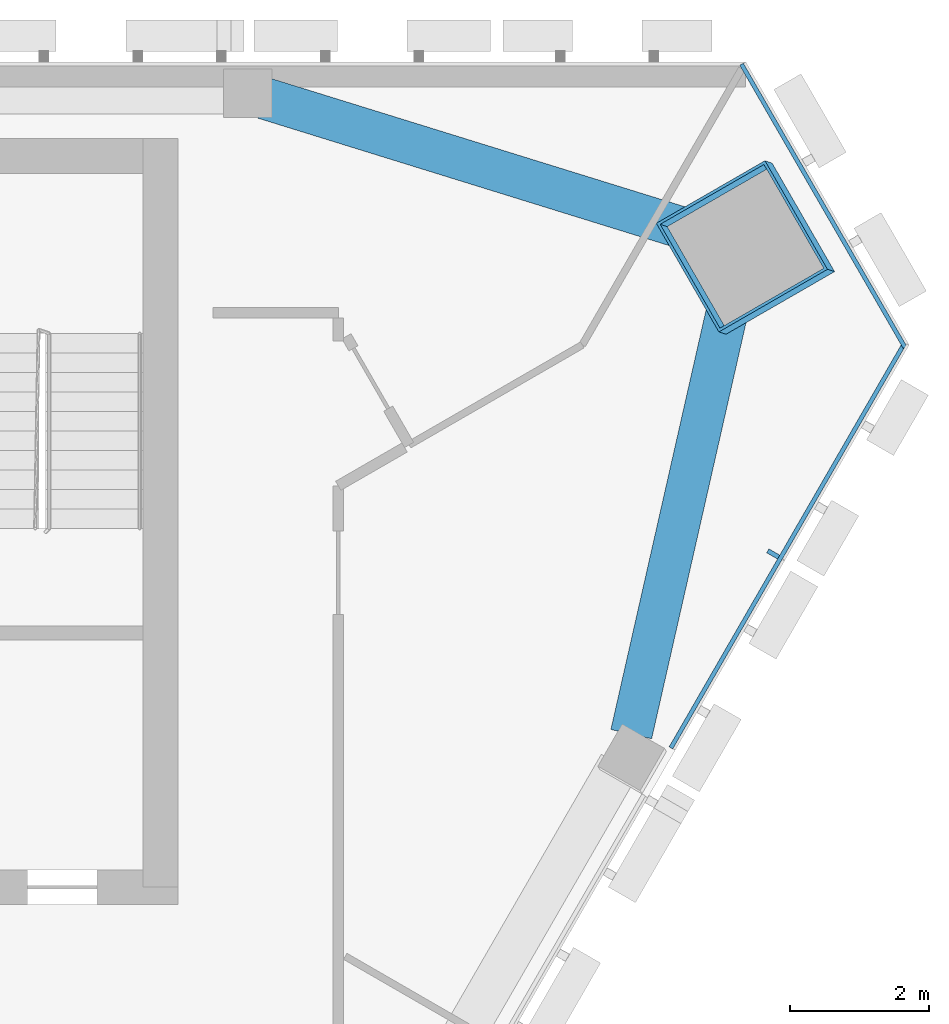
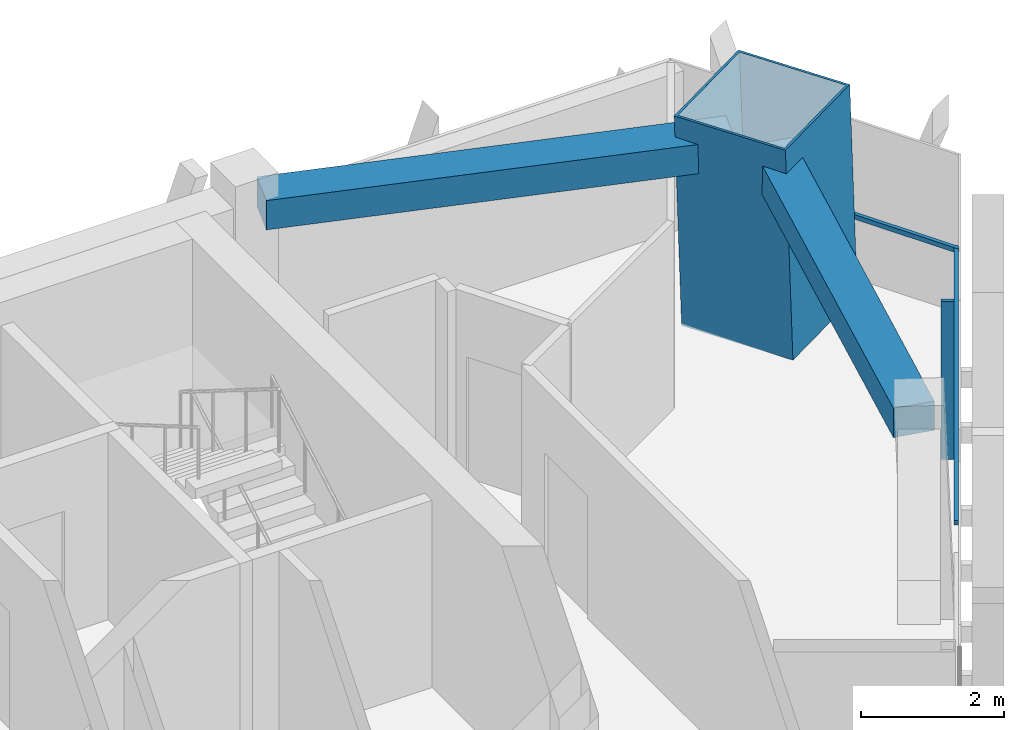
# One storey, part 6 of 12: 4 members, 2 beams, 2 elements without a shape of their own.
"""IFC4 building model written with IfcOpenShell, lengths in metres."""

from ifc_helpers import new_model, si_unit, direction, frame, origin, origin_2d, place, context, subcontext, project, spatial, rectangle, hollow_rectangle, extrude, material, layer, layer_set, material_profile, profile_set, type_object, element, aggregate, save


model = new_model("IFC4")

# Units and contexts
model_context = context("Model", 3, precision=1e-05, world=origin(), true_north=direction((0.0, 1.0)))
body_context = subcontext(model_context, "Body", "Model", "MODEL_VIEW")
ifc_project = project(units=[si_unit("LENGTHUNIT", "METRE"), si_unit("AREAUNIT", "SQUARE_METRE"), si_unit("VOLUMEUNIT", "CUBIC_METRE"), si_unit("PLANEANGLEUNIT", "RADIAN"), si_unit("MASSUNIT", "GRAM", prefix="KILO")], contexts=[model_context])

# Site, building, storey
site_placement = place(None, origin())
site = spatial("IfcSite", under=ifc_project, at=site_placement, CompositionType="ELEMENT")
building_placement = place(site_placement, origin())
building = spatial("IfcBuilding", under=site, at=building_placement, Name="Altiplano Prism Tower", CompositionType="ELEMENT")
storey_placement = place(building_placement, frame((0.0, 0.0, 275.199951171875)))
storey = spatial("IfcBuildingStorey", under=building, at=storey_placement, Name="L71", CompositionType="ELEMENT", Elevation=275.199951171875)

# Curtain wall, members
ifc_material_1 = material(Name="Aluminium and glass", Category="aluminium")
ifc_layer = layer(ifc_material_1, 0.280029296875)
ifc_layer_set = layer_set([ifc_layer], Name="Aluminium and glass")
curtain_wall_type = type_object("IfcCurtainWallType", Name="CW1 typical co-living unitised curtain wall", PredefinedType="NOTDEFINED", material=ifc_layer_set)
curtain_wall_1_placement = place(storey_placement, origin())
curtain_wall_1 = element("IfcCurtainWall", 1, at=curtain_wall_1_placement, inside=storey, type_object=curtain_wall_type, Name="CW1 curtain wall south-east face L71", PredefinedType="NOTDEFINED")
ifc_material_2 = material(Name="Aluminium", Category="aluminium")
ifc_material_profile_1 = material_profile(ifc_material_2, rectangle(XDim=0.179931640625, YDim=0.06494140625, at=origin_2d()), Name="CW1 mullion 65 x 180")
ifc_profile_set_1 = profile_set([ifc_material_profile_1], Name="Aluminium")
member_type_1 = type_object("IfcMemberType", Name="CW1 mullion 65 x 180", PredefinedType="MULLION", material=ifc_profile_set_1)
member_1_placement = place(storey_placement, frame((106.044677734375, 97.934326171875, 0.0), z_axis=(0.0, 0.0, 1.0), x_axis=(-0.866025405879, 0.499999996372, 0.0)))
member_1 = element("IfcMember", 2, at=member_1_placement, type_object=member_type_1, Name="CW1 mullion", PredefinedType="MULLION", context=body_context, shape_type="SweptSolid", body=[
    extrude(rectangle(XDim=0.179931640625, YDim=0.06494140625, at=origin_2d()), origin(), (0.0, 0.0, 1.0), 2.699951171875),
])
ifc_material_profile_2 = material_profile(ifc_material_2, rectangle(XDim=0.06005859375, YDim=0.080078125, at=origin_2d()), Name="CW1 transom 80 x 60")
ifc_profile_set_2 = profile_set([ifc_material_profile_2], Name="Aluminium")
member_type_2 = type_object("IfcMemberType", Name="CW1 transom 80 x 60", PredefinedType="USERDEFINED", material=ifc_profile_set_2)
member_2_placement = place(storey_placement, frame((104.575927734375, 95.150390625, 1.10009765625), z_axis=(0.499987655547, 0.86603253074, 0.0), x_axis=(-0.86603253074, 0.499987655547, 0.0)))
member_2 = element("IfcMember", 3, at=member_2_placement, type_object=member_type_2, Name="CW1 transom", ObjectType="TRANSOM", PredefinedType="USERDEFINED", context=body_context, shape_type="SweptSolid", body=[
    extrude(rectangle(XDim=0.06005859375, YDim=0.080078125, at=origin_2d()), origin(), (0.0, 0.0, 1.0), 6.720458984375),
])
aggregate(curtain_wall_1, [member_1, member_2])

# Curtain wall, member
curtain_wall_2_placement = place(storey_placement, origin())
curtain_wall_2 = element("IfcCurtainWall", 4, at=curtain_wall_2_placement, inside=storey, type_object=curtain_wall_type, Name="CW1 curtain wall north-east chamfer L71", PredefinedType="NOTDEFINED")
member_3_placement = place(storey_placement, frame((107.93603515625, 100.900390625, 1.10009765625), z_axis=(-0.499988115414, 0.866032265245, 0.0), x_axis=(-0.866032265245, -0.499988115414, 0.0)))
member_3 = element("IfcMember", 5, at=member_3_placement, type_object=member_type_2, Name="CW1 transom", ObjectType="TRANSOM", PredefinedType="USERDEFINED", context=body_context, shape_type="SweptSolid", body=[
    extrude(rectangle(XDim=0.06005859375, YDim=0.080078125, at=origin_2d()), origin(), (0.0, 0.0, 1.0), 4.693359375),
])
aggregate(curtain_wall_2, [member_3])

# Beams
ifc_material_3 = material(Name="Concrete C60/75", Category="concrete")
ifc_material_profile_3 = material_profile(ifc_material_3, rectangle(XDim=0.60009765625, YDim=0.5, at=origin_2d()), Name="Edge beam 600x500")
ifc_profile_set_3 = profile_set([ifc_material_profile_3], Name="Concrete C60/75")
beam_type = type_object("IfcBeamType", Name="Edge beam 600x500", PredefinedType="SPANDREL", material=ifc_profile_set_3)
beam_1_placement = place(storey_placement, frame((104.006591796875, 95.34716796875, 2.949951171875), z_axis=(0.2212292017, 0.975221841591, 0.0), x_axis=(-0.975221841591, 0.2212292017, 0.0)))
element("IfcBeam", 6, at=beam_1_placement, inside=storey, type_object=beam_type, Name="Edge beam P24-M2 L72", PredefinedType="SPANDREL", context=body_context, shape_type="SweptSolid", body=[
    extrude(rectangle(XDim=0.60009765625, YDim=0.5, at=origin_2d()), origin(), (0.0, 0.0, 1.0), 6.731689453125),
])
beam_2_placement = place(storey_placement, frame((105.16552734375, 102.484375, 2.949951171875), z_axis=(-0.955185835959, 0.296006788408, 0.0), x_axis=(-0.296006788408, -0.955185835959, 0.0)))
element("IfcBeam", 7, at=beam_2_placement, inside=storey, type_object=beam_type, Name="Edge beam M2-P01 L72", PredefinedType="SPANDREL", context=body_context, shape_type="SweptSolid", body=[
    extrude(rectangle(XDim=0.60009765625, YDim=0.5, at=origin_2d()), origin(), (0.0, 0.0, 1.0), 6.73193359375),
])

# Member
ifc_material_4 = material(Name="Steel S460", Category="steel")
ifc_material_profile_4 = material_profile(ifc_material_4, hollow_rectangle(XDim=1.800048828125, YDim=1.800048828125, WallThickness=0.0400390625, at=origin_2d()), Name="Mega column tube 1800")
ifc_profile_set_4 = profile_set([ifc_material_profile_4], Name="Steel S460")
member_type_3 = type_object("IfcMemberType", Name="Mega column tube 1800", PredefinedType="POST", material=ifc_profile_set_4)
member_4_placement = place(storey_placement, frame((105.697509765625, 102.317626953125, 0.0), z_axis=(-0.028401796786, 0.009286506348, 0.999553449666), x_axis=(0.498883874229, -0.866383828461, 0.022224801831)))
element("IfcMember", 8, at=member_4_placement, inside=storey, type_object=member_type_3, Name="Mega column tube M2 L71", PredefinedType="POST", context=body_context, shape_type="SweptSolid", body=[
    extrude(hollow_rectangle(XDim=1.800048828125, YDim=1.800048828125, WallThickness=0.0400390625, at=origin_2d()), origin(), (0.0, 0.0, 1.0), 3.601806640625),
])

save(model, "model.ifc")
